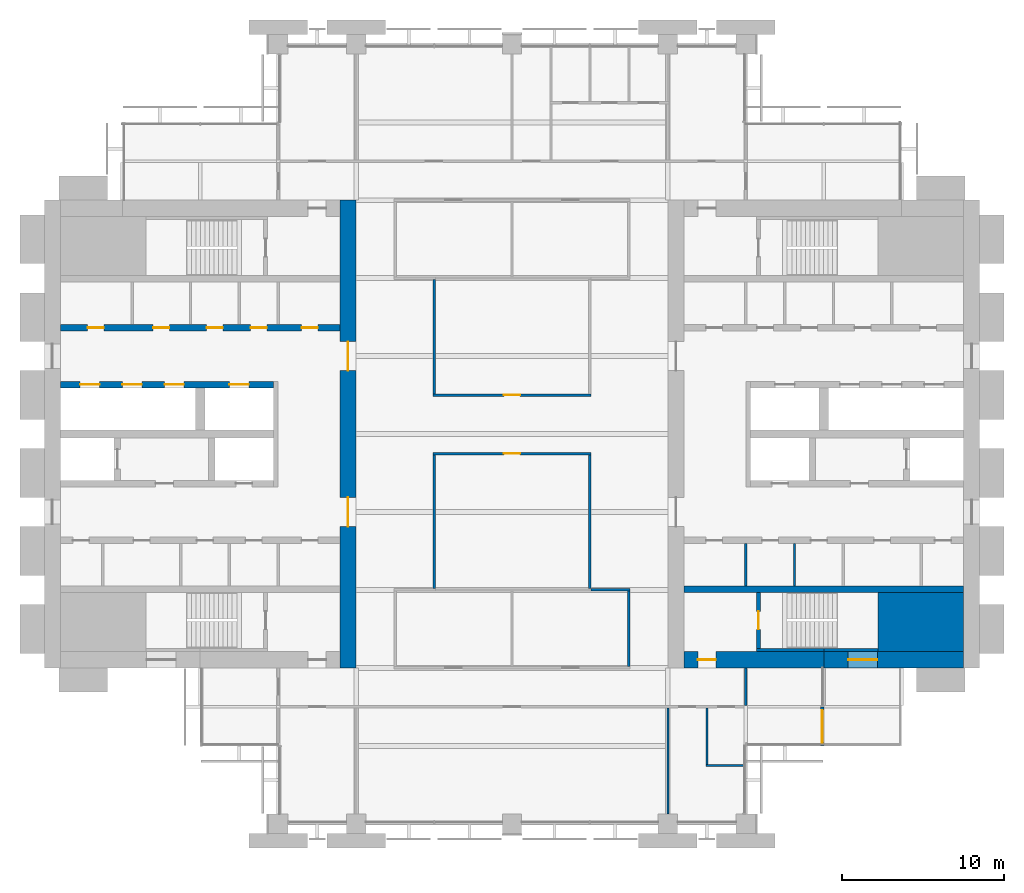
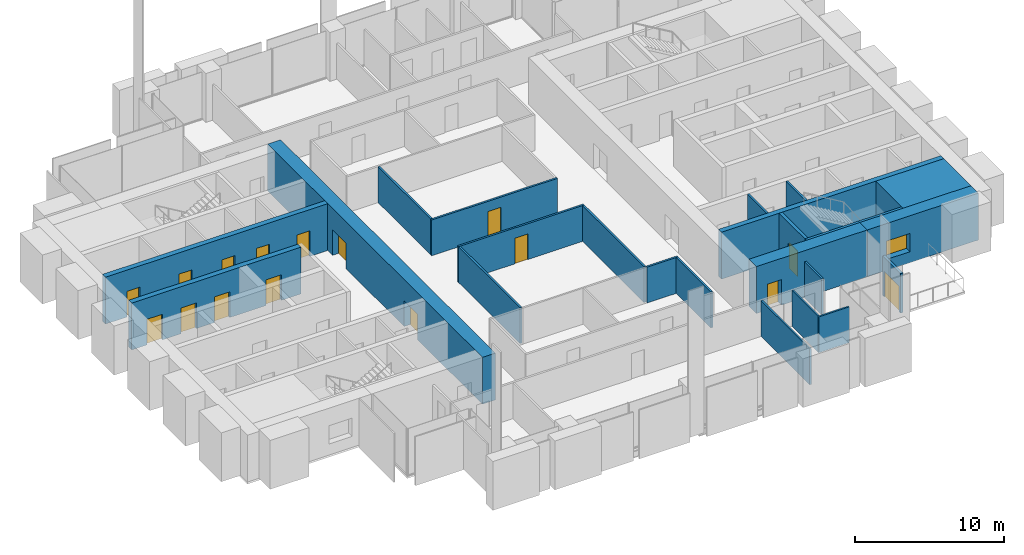
# One storey, part 10 of 14: 24 walls, 16 doors, 1 window, 17 openings.
"""IFC4 building model written with IfcOpenShell, lengths in metres."""

from ifc_helpers import new_model, si_unit, direction, frame, frame_2d, origin, place, context, subcontext, project, spatial, rectangle, extrude, material, layer, layer_set, type_object, element, fill, save


model = new_model("IFC4")

# Units and contexts
model_context = context("Model", 3, precision=1e-05, world=origin(), true_north=direction((0.0, 1.0)))
body_context = subcontext(model_context, "Body", "Model", "MODEL_VIEW")
ifc_project = project(units=[si_unit("LENGTHUNIT", "METRE"), si_unit("AREAUNIT", "SQUARE_METRE"), si_unit("VOLUMEUNIT", "CUBIC_METRE"), si_unit("PLANEANGLEUNIT", "RADIAN"), si_unit("MASSUNIT", "GRAM", prefix="KILO")], contexts=[model_context])

# Site, building, storey
site_placement = place(None, origin())
site = spatial("IfcSite", under=ifc_project, at=site_placement, CompositionType="ELEMENT")
building_placement = place(site_placement, origin())
building = spatial("IfcBuilding", under=site, at=building_placement, Name="Baori Bourse Tower", CompositionType="ELEMENT")
storey_placement = place(building_placement, frame((0.0, 0.0, 120.10009765625)))
storey = spatial("IfcBuildingStorey", under=building, at=storey_placement, Name="L25", CompositionType="ELEMENT", Elevation=120.10009765625)

# Walls
ifc_material_1 = material(Name="Concrete f'c 60 MPa", Category="concrete")
wall_type_1 = type_object("IfcWallType", Name="Core corner block f'c 60", PredefinedType="SHEAR", material=ifc_material_1)
wall_1_placement = place(storey_placement, frame((51.35009765625, 12.425048828125, 0.0), z_axis=(0.0, 0.0, 1.0), x_axis=(1.0, 0.0, 0.0)))
element("IfcWall", 1, at=wall_1_placement, inside=storey, type_object=wall_type_1, Name="Core wall E05", PredefinedType="SHEAR", context=body_context, shape_type="SweptSolid", body=[
    extrude(rectangle(XDim=5.25, YDim=3.64990234375, at=frame_2d((2.625, 0.0))), origin(), (0.0, 0.0, 1.0), 3.83984375),
])
ifc_material_2 = material(Name="Blockwork partition", Category="masonry")
ifc_layer_1 = layer(ifc_material_2, 0.14990234375)
ifc_layer_set_1 = layer_set([ifc_layer_1], Name="Core partition 150")
wall_type_2 = type_object("IfcWallType", Name="Core partition 150", PredefinedType="PARTITIONING", material=ifc_layer_set_1)
for number, where, z_axis, x_axis, name in (
    (2, (46.199951171875, 14.64990234375, 0.0), (0.0, 0.0, 1.0), (0.0, 1.0, 0.0), "Partition wall E12"),
    (3, (43.199951171875, 14.64990234375, 0.0), (0.0, 0.0, 1.0), (0.0, 1.0, 0.0), "Partition wall E13"),
):
    element("IfcWall", number, at=place(storey_placement, frame(where, z_axis=z_axis, x_axis=x_axis)), inside=storey, type_object=wall_type_2, Name=name, PredefinedType="PARTITIONING", context=body_context, shape_type="SweptSolid", body=[
        extrude(rectangle(XDim=2.60009765625, YDim=0.14990234375, at=frame_2d((1.300048828125, 0.0))), origin(), (0.0, 0.0, 1.0), 3.83984375),
    ])

# Wall, openings, doors
ifc_material_3 = material(Name="Concrete f'c 60 MPa", Category="concrete")
ifc_layer_2 = layer(ifc_material_3, 1.0)
ifc_layer_set_2 = layer_set([ifc_layer_2], Name="Core wall 1000 f'c 60")
wall_type_3 = type_object("IfcWallType", Name="Core wall 1000 f'c 60", PredefinedType="SHEAR", material=ifc_layer_set_2)
wall_2_placement = place(storey_placement, frame((18.699951171875, 38.39990234375, 0.0), z_axis=(0.0, 0.0, 1.0), x_axis=(0.0, -1.0, 0.0)))
wall_2 = element("IfcWall", 4, at=wall_2_placement, inside=storey, type_object=wall_type_3, Name="Core wall W04", PredefinedType="SHEAR", context=body_context, shape_type="SweptSolid", body=[
    extrude(rectangle(XDim=28.7998046875, YDim=1.0, at=frame_2d((14.39990234375, 0.0))), origin(), (0.0, 0.0, 1.0), 3.83984375),
])
opening_1_placement = place(wall_2_placement, frame((18.300048828125, 0.0, 0.0)))
opening_1 = element("IfcOpeningElement", 5, at=opening_1_placement, cuts=wall_2, Name="Opening L25-D107", PredefinedType="OPENING", context=body_context, shape_type="SweptSolid", body=[
    extrude(rectangle(XDim=1.800048828125, YDim=2.10009765625, at=frame_2d((0.89990234375, 1.050048828125))), frame((0.0, 0.510009765625, 0.0), z_axis=(0.0, -1.0, 0.0), x_axis=(1.0, 0.0, 0.0)), (0.0, 0.0, 1.0), 1.02001953125),
])
opening_2_placement = place(wall_2_placement, frame((8.699951171875, 0.0, 0.0)))
opening_2 = element("IfcOpeningElement", 6, at=opening_2_placement, cuts=wall_2, Name="Opening L25-D108", PredefinedType="OPENING", context=body_context, shape_type="SweptSolid", body=[
    extrude(rectangle(XDim=1.800048828125, YDim=2.10009765625, at=frame_2d((0.89990234375, 1.050048828125))), frame((0.0, 0.510009765625, 0.0), z_axis=(0.0, -1.0, 0.0), x_axis=(1.0, 0.0, 0.0)), (0.0, 0.0, 1.0), 1.02001953125),
])
ifc_material_4 = material(Name="Painted steel door", Category="steel")
door_type_1 = type_object("IfcDoorType", Name="Core lobby door 1800", OperationType="DOUBLE_DOOR_SINGLE_SWING", PredefinedType="DOOR", material=ifc_material_4)
door_1_placement = place(opening_1_placement, origin())
door_1 = element("IfcDoor", 7, at=door_1_placement, inside=storey, type_object=door_type_1, Name="Lobby door W L25", OperationType="DOUBLE_DOOR_SINGLE_SWING", OverallHeight=2.10009765625, OverallWidth=1.800048828125, PredefinedType="DOOR", context=body_context, shape_type="SweptSolid", body=[
    extrude(rectangle(XDim=1.800048828125, YDim=2.10009765625, at=frame_2d((0.89990234375, 1.050048828125))), frame((0.0, 0.02490234375, 0.0), z_axis=(0.0, -1.0, 0.0), x_axis=(1.0, 0.0, 0.0)), (0.0, 0.0, 1.0), 0.050048828125),
])
fill(opening_1, door_1)
door_2_placement = place(opening_2_placement, origin())
door_2 = element("IfcDoor", 8, at=door_2_placement, inside=storey, type_object=door_type_1, Name="Lobby door W L25", OperationType="DOUBLE_DOOR_SINGLE_SWING", OverallHeight=2.10009765625, OverallWidth=1.800048828125, PredefinedType="DOOR", context=body_context, shape_type="SweptSolid", body=[
    extrude(rectangle(XDim=1.800048828125, YDim=2.10009765625, at=frame_2d((0.89990234375, 1.050048828125))), frame((0.0, 0.02490234375, 0.0), z_axis=(0.0, -1.0, 0.0), x_axis=(1.0, 0.0, 0.0)), (0.0, 0.0, 1.0), 0.050048828125),
])
fill(opening_2, door_2)

# Wall, opening, window
wall_3_placement = place(storey_placement, frame((56.60009765625, 10.10009765625, 0.0), z_axis=(0.0, 0.0, 1.0), x_axis=(-1.0, 0.0, 0.0)))
wall_3 = element("IfcWall", 9, at=wall_3_placement, inside=storey, type_object=wall_type_3, Name="Core wall E02", PredefinedType="SHEAR", context=body_context, shape_type="SweptSolid", body=[
    extrude(rectangle(XDim=8.60009765625, YDim=1.0, at=frame_2d((4.300048828125, 0.0))), origin(), (0.0, 0.0, 1.0), 3.83984375),
])
opening_3_placement = place(wall_3_placement, frame((5.300048828125, 0.0, 0.89990234375)))
opening_3 = element("IfcOpeningElement", 10, at=opening_3_placement, cuts=wall_3, Name="Opening L25-KW203", PredefinedType="OPENING", context=body_context, shape_type="SweptSolid", body=[
    extrude(rectangle(XDim=1.800048828125, YDim=1.5, at=frame_2d((0.89990234375, 0.75))), frame((0.0, 0.510009765625, 0.0), z_axis=(0.0, -1.0, 0.0), x_axis=(1.0, 0.0, 0.0)), (0.0, 0.0, 1.0), 1.02001953125),
])
ifc_material_5 = material(Name="Pale anodised aluminium", Category="aluminium")
window_type = type_object("IfcWindowType", Name="Stair window 1800 x 1500", PartitioningType="SINGLE_PANEL", PredefinedType="WINDOW", material=ifc_material_5)
window_placement = place(opening_3_placement, origin())
window = element("IfcWindow", 11, at=window_placement, inside=storey, type_object=window_type, Name="Stair window E L25 3", OverallHeight=1.5, OverallWidth=1.800048828125, PartitioningType="SINGLE_PANEL", PredefinedType="WINDOW", context=body_context, shape_type="SweptSolid", body=[
    extrude(rectangle(XDim=1.800048828125, YDim=1.5, at=frame_2d((0.89990234375, 0.75))), frame((0.0, 0.030029296875, 0.0), z_axis=(0.0, -1.0, 0.0), x_axis=(1.0, 0.0, 0.0)), (0.0, 0.0, 1.0), 0.06005859375),
])
fill(opening_3, window)

# Wall, opening, door
wall_4_placement = place(storey_placement, frame((48.0, 10.10009765625, 0.0), z_axis=(0.0, 0.0, 1.0), x_axis=(-1.0, 0.0, 0.0)))
wall_4 = element("IfcWall", 12, at=wall_4_placement, inside=storey, type_object=wall_type_3, Name="Core wall E03", PredefinedType="SHEAR", context=body_context, shape_type="SweptSolid", body=[
    extrude(rectangle(XDim=8.60009765625, YDim=1.0, at=frame_2d((4.300048828125, 0.0))), origin(), (0.0, 0.0, 1.0), 3.83984375),
])
opening_4_placement = place(wall_4_placement, frame((6.64990234375, 0.0, 0.0)))
opening_4 = element("IfcOpeningElement", 13, at=opening_4_placement, cuts=wall_4, Name="Opening L25-D202", PredefinedType="OPENING", context=body_context, shape_type="SweptSolid", body=[
    extrude(rectangle(XDim=1.10009765625, YDim=2.10009765625, at=frame_2d((0.550048828125, 1.050048828125))), frame((0.0, 0.510009765625, 0.0), z_axis=(0.0, -1.0, 0.0), x_axis=(1.0, 0.0, 0.0)), (0.0, 0.0, 1.0), 1.02001953125),
])
ifc_material_6 = material(Name="Painted steel door", Category="steel")
door_type_2 = type_object("IfcDoorType", Name="Stair door 1100", OperationType="SINGLE_SWING_LEFT", PredefinedType="DOOR", material=ifc_material_6)
door_3_placement = place(opening_4_placement, origin())
door_3 = element("IfcDoor", 14, at=door_3_placement, inside=storey, type_object=door_type_2, Name="Stair vestibule door A E L25", OperationType="SINGLE_SWING_LEFT", OverallHeight=2.10009765625, OverallWidth=1.10009765625, PredefinedType="DOOR", context=body_context, shape_type="SweptSolid", body=[
    extrude(rectangle(XDim=1.10009765625, YDim=2.10009765625, at=frame_2d((0.550048828125, 1.050048828125))), frame((0.0, 0.02490234375, 0.0), z_axis=(0.0, -1.0, 0.0), x_axis=(1.0, 0.0, 0.0)), (0.0, 0.0, 1.0), 0.050048828125),
])
fill(opening_4, door_3)

# Wall
ifc_material_7 = material(Name="Gypsum board partition")
ifc_layer_3 = layer(ifc_material_7, 0.14990234375)
ifc_layer_set_3 = layer_set([ifc_layer_3], Name="Corridor partition 150")
wall_type_4 = type_object("IfcWallType", Name="Corridor partition 150", PredefinedType="PARTITIONING", material=ifc_layer_set_3)
wall_5_placement = place(storey_placement, frame((33.675048828125, 14.39990234375, 0.0), z_axis=(0.0, 0.0, 1.0), x_axis=(1.0, 0.0, 0.0)))
element("IfcWall", 15, at=wall_5_placement, inside=storey, type_object=wall_type_4, Name="Partition", PredefinedType="PARTITIONING", context=body_context, shape_type="SweptSolid", body=[
    extrude(rectangle(XDim=2.39990234375, YDim=0.14990234375, at=frame_2d((1.199951171875, 0.0))), origin(), (0.0, 0.0, 1.0), 2.935546875),
])

# Wall, opening, door
wall_6_placement = place(storey_placement, frame((23.925048828125, 22.800048828125, 0.0), z_axis=(0.0, 0.0, 1.0), x_axis=(1.0, 0.0, 0.0)))
wall_6 = element("IfcWall", 16, at=wall_6_placement, inside=storey, type_object=wall_type_4, Name="Partition", PredefinedType="PARTITIONING", context=body_context, shape_type="SweptSolid", body=[
    extrude(rectangle(XDim=9.75, YDim=0.14990234375, at=frame_2d((4.875, 0.0))), origin(), (0.0, 0.0, 1.0), 2.935546875),
])
opening_5_placement = place(wall_6_placement, frame((4.375, 0.0, 0.0)))
opening_5 = element("IfcOpeningElement", 17, at=opening_5_placement, cuts=wall_6, Name="Opening L25-D07", PredefinedType="OPENING", context=body_context, shape_type="SweptSolid", body=[
    extrude(rectangle(XDim=1.0, YDim=2.10009765625, at=frame_2d((0.5, 1.050048828125))), frame((0.0, 0.0849609375, 0.0), z_axis=(0.0, -1.0, 0.0), x_axis=(1.0, 0.0, 0.0)), (0.0, 0.0, 1.0), 0.169921875),
])
ifc_material_8 = material(Name="Timber door leaf", Category="wood")
door_type_3 = type_object("IfcDoorType", Name="Door 1000 x 2100", OperationType="SINGLE_SWING_LEFT", PredefinedType="DOOR", material=ifc_material_8)
door_4_placement = place(opening_5_placement, origin())
door_4 = element("IfcDoor", 18, at=door_4_placement, inside=storey, type_object=door_type_3, Name="Door", OperationType="SINGLE_SWING_RIGHT", OverallHeight=2.10009765625, OverallWidth=1.0, PredefinedType="DOOR", context=body_context, shape_type="SweptSolid", body=[
    extrude(rectangle(XDim=1.0, YDim=2.10009765625, at=frame_2d((0.5, 1.050048828125))), frame((0.0, 0.02490234375, 0.0), z_axis=(0.0, -1.0, 0.0), x_axis=(1.0, 0.0, 0.0)), (0.0, 0.0, 1.0), 0.050048828125),
])
fill(opening_5, door_4)

wall_7_placement = place(storey_placement, frame((23.925048828125, 26.39990234375, 0.0), z_axis=(0.0, 0.0, 1.0), x_axis=(1.0, 0.0, 0.0)))
wall_7 = element("IfcWall", 19, at=wall_7_placement, inside=storey, type_object=wall_type_4, Name="Partition", PredefinedType="PARTITIONING", context=body_context, shape_type="SweptSolid", body=[
    extrude(rectangle(XDim=9.75, YDim=0.14990234375, at=frame_2d((4.875, 0.0))), origin(), (0.0, 0.0, 1.0), 2.935546875),
])
opening_6_placement = place(wall_7_placement, frame((4.375, 0.0, 0.0)))
opening_6 = element("IfcOpeningElement", 20, at=opening_6_placement, cuts=wall_7, Name="Opening L25-D08", PredefinedType="OPENING", context=body_context, shape_type="SweptSolid", body=[
    extrude(rectangle(XDim=1.0, YDim=2.10009765625, at=frame_2d((0.5, 1.050048828125))), frame((0.0, 0.0849609375, 0.0), z_axis=(0.0, -1.0, 0.0), x_axis=(1.0, 0.0, 0.0)), (0.0, 0.0, 1.0), 0.169921875),
])
door_5_placement = place(opening_6_placement, origin())
door_5 = element("IfcDoor", 21, at=door_5_placement, inside=storey, type_object=door_type_3, Name="Door", OperationType="SINGLE_SWING_LEFT", OverallHeight=2.10009765625, OverallWidth=1.0, PredefinedType="DOOR", context=body_context, shape_type="SweptSolid", body=[
    extrude(rectangle(XDim=1.0, YDim=2.10009765625, at=frame_2d((0.5, 1.050048828125))), frame((0.0, 0.02490234375, 0.0), z_axis=(0.0, -1.0, 0.0), x_axis=(1.0, 0.0, 0.0)), (0.0, 0.0, 1.0), 0.050048828125),
])
fill(opening_6, door_5)

# Walls
wall_8_placement = place(storey_placement, frame((24.0, 14.47509765625, 0.0), z_axis=(0.0, 0.0, 1.0), x_axis=(0.0, 1.0, 0.0)))
element("IfcWall", 22, at=wall_8_placement, inside=storey, type_object=wall_type_4, Name="Partition", PredefinedType="PARTITIONING", context=body_context, shape_type="SweptSolid", body=[
    extrude(rectangle(XDim=8.25, YDim=0.14990234375, at=frame_2d((4.125, 0.0))), origin(), (0.0, 0.0, 1.0), 2.935546875),
])
wall_9_placement = place(storey_placement, frame((24.0, 26.47509765625, 0.0), z_axis=(0.0, 0.0, 1.0), x_axis=(0.0, 1.0, 0.0)))
element("IfcWall", 23, at=wall_9_placement, inside=storey, type_object=wall_type_4, Name="Partition", PredefinedType="PARTITIONING", context=body_context, shape_type="SweptSolid", body=[
    extrude(rectangle(XDim=7.0498046875, YDim=0.14990234375, at=frame_2d((3.52490234375, 0.0))), origin(), (0.0, 0.0, 1.0), 2.935546875),
])
wall_10_placement = place(storey_placement, frame((33.60009765625, 14.47509765625, 0.0), z_axis=(0.0, 0.0, 1.0), x_axis=(0.0, 1.0, 0.0)))
element("IfcWall", 24, at=wall_10_placement, inside=storey, type_object=wall_type_4, Name="Partition", PredefinedType="PARTITIONING", context=body_context, shape_type="SweptSolid", body=[
    extrude(rectangle(XDim=8.25, YDim=0.14990234375, at=frame_2d((4.125, 0.0))), origin(), (0.0, 0.0, 1.0), 2.935546875),
])
wall_11_placement = place(storey_placement, frame((36.0, 9.675048828125, 0.0), z_axis=(0.0, 0.0, 1.0), x_axis=(0.0, 1.0, 0.0)))
element("IfcWall", 25, at=wall_11_placement, inside=storey, type_object=wall_type_4, Name="Partition", PredefinedType="PARTITIONING", context=body_context, shape_type="SweptSolid", body=[
    extrude(rectangle(XDim=4.64990234375, YDim=0.14990234375, at=frame_2d((2.324951171875, 0.0))), origin(), (0.0, 0.0, 1.0), 2.935546875),
])
wall_12_placement = place(storey_placement, frame((43.199951171875, 7.27490234375, 0.0), z_axis=(0.0, 0.0, 1.0), x_axis=(0.0, 1.0, 0.0)))
element("IfcWall", 26, at=wall_12_placement, inside=storey, type_object=wall_type_4, Name="Partition", PredefinedType="PARTITIONING", context=body_context, shape_type="SweptSolid", body=[
    extrude(rectangle(XDim=2.3251953125, YDim=0.14990234375, at=frame_2d((1.16259765625, 0.0))), origin(), (0.0, 0.0, 1.0), 2.935546875),
])

# Wall, opening, door
ifc_material_9 = material(Name="Pale anodised aluminium", Category="aluminium")
ifc_layer_4 = layer(ifc_material_9, 0.199951171875)
ifc_layer_set_4 = layer_set([ifc_layer_4], Name="EW1 External wall bay")
wall_type_5 = type_object("IfcWallType", Name="EW1 External wall bay", PredefinedType="SOLIDWALL", material=ifc_layer_set_4)
wall_13_placement = place(storey_placement, frame((47.89990234375, 4.800048828125, 0.0), z_axis=(0.0, 0.0, 1.0), x_axis=(0.0, 1.0, 0.0)))
wall_13 = element("IfcWall", 27, at=wall_13_placement, inside=storey, type_object=wall_type_5, Name="External wall bay L25 1", PredefinedType="SOLIDWALL", context=body_context, shape_type="SweptSolid", body=[
    extrude(rectangle(XDim=2.39990234375, YDim=0.199951171875, at=frame_2d((1.199951171875, 0.0))), origin(), (0.0, 0.0, 1.0), 3.238037109375),
])
opening_7_placement = place(wall_13_placement, frame((0.199951171875, 0.0, 0.0)))
opening_7 = element("IfcOpeningElement", 28, at=opening_7_placement, cuts=wall_13, Name="Opening L25-D91", PredefinedType="OPENING", context=body_context, shape_type="SweptSolid", body=[
    extrude(rectangle(XDim=2.0, YDim=2.10009765625, at=frame_2d((1.0, 1.050048828125))), frame((0.0, 0.10986328125, 0.0), z_axis=(0.0, -1.0, 0.0), x_axis=(1.0, 0.0, 0.0)), (0.0, 0.0, 1.0), 0.219970703125),
])
ifc_material_10 = material(Name="Pale anodised aluminium", Category="aluminium")
door_type_4 = type_object("IfcDoorType", Name="TR1 Terrace door", OperationType="DOUBLE_DOOR_SINGLE_SWING", PredefinedType="DOOR", material=ifc_material_10)
door_6_placement = place(opening_7_placement, origin())
door_6 = element("IfcDoor", 29, at=door_6_placement, inside=storey, type_object=door_type_4, Name="Terrace door L25 1", OperationType="SINGLE_SWING_LEFT", OverallHeight=2.10009765625, OverallWidth=2.0, PredefinedType="DOOR", context=body_context, shape_type="SweptSolid", body=[
    extrude(rectangle(XDim=2.0, YDim=2.10009765625, at=frame_2d((1.0, 1.050048828125))), frame((0.0, 0.02490234375, 0.0), z_axis=(0.0, -1.0, 0.0), x_axis=(1.0, 0.0, 0.0)), (0.0, 0.0, 1.0), 0.050048828125),
])
fill(opening_7, door_6)

# Walls
ifc_material_11 = material(Name="Gypsum board partition")
ifc_layer_5 = layer(ifc_material_11, 0.125)
ifc_layer_set_5 = layer_set([ifc_layer_5], Name="Partition 125")
wall_type_6 = type_object("IfcWallType", Name="Partition 125", PredefinedType="PARTITIONING", material=ifc_layer_set_5)
wall_14_placement = place(storey_placement, frame((40.737548828125, 3.60009765625, 0.0), z_axis=(0.0, 0.0, 1.0), x_axis=(1.0, 0.0, 0.0)))
element("IfcWall", 30, at=wall_14_placement, inside=storey, type_object=wall_type_6, Name="Partition", PredefinedType="PARTITIONING", context=body_context, shape_type="SweptSolid", body=[
    extrude(rectangle(XDim=2.362548828125, YDim=0.125, at=frame_2d((1.18115234375, 0.0))), origin(), (0.0, 0.0, 1.0), 2.935546875),
])
wall_15_placement = place(storey_placement, frame((38.39990234375, 0.60009765625, 0.0), z_axis=(0.0, 0.0, 1.0), x_axis=(0.0, 1.0, 0.0)))
element("IfcWall", 31, at=wall_15_placement, inside=storey, type_object=wall_type_6, Name="Partition", PredefinedType="PARTITIONING", context=body_context, shape_type="SweptSolid", body=[
    extrude(rectangle(XDim=6.52490234375, YDim=0.125, at=frame_2d((3.262451171875, 0.0))), origin(), (0.0, 0.0, 1.0), 2.935546875),
])
wall_16_placement = place(storey_placement, frame((40.800048828125, 3.66259765625, 0.0), z_axis=(0.0, 0.0, 1.0), x_axis=(0.0, 1.0, 0.0)))
element("IfcWall", 32, at=wall_16_placement, inside=storey, type_object=wall_type_6, Name="Partition", PredefinedType="PARTITIONING", context=body_context, shape_type="SweptSolid", body=[
    extrude(rectangle(XDim=3.46240234375, YDim=0.125, at=frame_2d((1.731201171875, 0.0))), origin(), (0.0, 0.0, 1.0), 2.935546875),
])
ifc_material_12 = material(Name="Concrete f'c 60 MPa", Category="concrete")
ifc_layer_6 = layer(ifc_material_12, 0.199951171875)
ifc_layer_set_6 = layer_set([ifc_layer_6], Name="Shaft wall 200 f'c 60")
wall_type_7 = type_object("IfcWallType", Name="Shaft wall 200 f'c 60", PredefinedType="SHEAR", material=ifc_layer_set_6)
wall_17_placement = place(storey_placement, frame((48.0, 10.699951171875, 0.0), z_axis=(0.0, 0.0, 1.0), x_axis=(1.0, 0.0, 0.0)))
element("IfcWall", 33, at=wall_17_placement, inside=storey, type_object=wall_type_7, Name="Core wall E06", PredefinedType="SHEAR", context=body_context, shape_type="SweptSolid", body=[
    extrude(rectangle(XDim=3.35009765625, YDim=0.199951171875, at=frame_2d((1.675048828125, 0.0))), origin(), (0.0, 0.0, 1.0), 3.83984375),
])
wall_18_placement = place(storey_placement, frame((43.85009765625, 10.699951171875, 0.0), z_axis=(0.0, 0.0, 1.0), x_axis=(1.0, 0.0, 0.0)))
element("IfcWall", 34, at=wall_18_placement, inside=storey, type_object=wall_type_7, Name="Core wall E07", PredefinedType="SHEAR", context=body_context, shape_type="SweptSolid", body=[
    extrude(rectangle(XDim=4.14990234375, YDim=0.199951171875, at=frame_2d((2.074951171875, 0.0))), origin(), (0.0, 0.0, 1.0), 3.83984375),
])

# Wall, opening, door
ifc_material_13 = material(Name="Concrete f'c 60 MPa", Category="concrete")
ifc_layer_7 = layer(ifc_material_13, 0.25)
ifc_layer_set_7 = layer_set([ifc_layer_7], Name="Shaft wall 250 f'c 60")
wall_type_8 = type_object("IfcWallType", Name="Shaft wall 250 f'c 60", PredefinedType="SHEAR", material=ifc_layer_set_7)
wall_19_placement = place(storey_placement, frame((43.97509765625, 10.800048828125, 0.0), z_axis=(0.0, 0.0, 1.0), x_axis=(0.0, 1.0, 0.0)))
wall_19 = element("IfcWall", 35, at=wall_19_placement, inside=storey, type_object=wall_type_8, Name="Core wall E08", PredefinedType="SHEAR", context=body_context, shape_type="SweptSolid", body=[
    extrude(rectangle(XDim=3.449951171875, YDim=0.25, at=frame_2d((1.72509765625, 0.0))), origin(), (0.0, 0.0, 1.0), 3.83984375),
])
opening_8_placement = place(wall_19_placement, frame((1.175048828125, 0.0, 0.0)))
opening_8 = element("IfcOpeningElement", 36, at=opening_8_placement, cuts=wall_19, Name="Opening L25-D201", PredefinedType="OPENING", context=body_context, shape_type="SweptSolid", body=[
    extrude(rectangle(XDim=1.10009765625, YDim=2.10009765625, at=frame_2d((0.550048828125, 1.050048828125))), frame((0.0, 0.135009765625, 0.0), z_axis=(0.0, -1.0, 0.0), x_axis=(1.0, 0.0, 0.0)), (0.0, 0.0, 1.0), 0.27001953125),
])
door_7_placement = place(opening_8_placement, origin())
door_7 = element("IfcDoor", 37, at=door_7_placement, inside=storey, type_object=door_type_2, Name="Stair door A E L25", OperationType="SINGLE_SWING_LEFT", OverallHeight=2.10009765625, OverallWidth=1.10009765625, PredefinedType="DOOR", context=body_context, shape_type="SweptSolid", body=[
    extrude(rectangle(XDim=1.10009765625, YDim=2.10009765625, at=frame_2d((0.550048828125, 1.050048828125))), frame((0.0, 0.02490234375, 0.0), z_axis=(0.0, -1.0, 0.0), x_axis=(1.0, 0.0, 0.0)), (0.0, 0.0, 1.0), 0.050048828125),
])
fill(opening_8, door_7)

# Wall, openings, doors
ifc_material_14 = material(Name="Concrete f'c 60 MPa", Category="concrete")
ifc_layer_8 = layer(ifc_material_14, 0.39990234375)
ifc_layer_set_8 = layer_set([ifc_layer_8], Name="Shaft wall 400 f'c 60")
wall_type_9 = type_object("IfcWallType", Name="Shaft wall 400 f'c 60", PredefinedType="SHEAR", material=ifc_layer_set_8)
wall_20_placement = place(storey_placement, frame((1.0, 27.050048828125, 0.0), z_axis=(0.0, 0.0, 1.0), x_axis=(1.0, 0.0, 0.0)))
wall_20 = element("IfcWall", 38, at=wall_20_placement, inside=storey, type_object=wall_type_9, Name="Core wall W21", PredefinedType="SHEAR", context=body_context, shape_type="SweptSolid", body=[
    extrude(rectangle(XDim=13.10009765625, YDim=0.39990234375, at=frame_2d((6.550048828125, 0.0))), origin(), (0.0, 0.0, 1.0), 3.83984375),
])
opening_9_placement = place(wall_20_placement, frame((1.199951171875, 0.0, 0.0)))
opening_9 = element("IfcOpeningElement", 39, at=opening_9_placement, cuts=wall_20, Name="Opening L25-D119", PredefinedType="OPENING", context=body_context, shape_type="SweptSolid", body=[
    extrude(rectangle(XDim=1.199951171875, YDim=2.10009765625, at=frame_2d((0.60009765625, 1.050048828125))), frame((0.0, 0.2099609375, 0.0), z_axis=(0.0, -1.0, 0.0), x_axis=(1.0, 0.0, 0.0)), (0.0, 0.0, 1.0), 0.419921875),
])
opening_10_placement = place(wall_20_placement, frame((3.800048828125, 0.0, 0.0)))
opening_10 = element("IfcOpeningElement", 40, at=opening_10_placement, cuts=wall_20, Name="Opening L25-D120", PredefinedType="OPENING", context=body_context, shape_type="SweptSolid", body=[
    extrude(rectangle(XDim=1.199951171875, YDim=2.10009765625, at=frame_2d((0.60009765625, 1.050048828125))), frame((0.0, 0.2099609375, 0.0), z_axis=(0.0, -1.0, 0.0), x_axis=(1.0, 0.0, 0.0)), (0.0, 0.0, 1.0), 0.419921875),
])
opening_11_placement = place(wall_20_placement, frame((6.39990234375, 0.0, 0.0)))
opening_11 = element("IfcOpeningElement", 41, at=opening_11_placement, cuts=wall_20, Name="Opening L25-D121", PredefinedType="OPENING", context=body_context, shape_type="SweptSolid", body=[
    extrude(rectangle(XDim=1.199951171875, YDim=2.10009765625, at=frame_2d((0.60009765625, 1.050048828125))), frame((0.0, 0.2099609375, 0.0), z_axis=(0.0, -1.0, 0.0), x_axis=(1.0, 0.0, 0.0)), (0.0, 0.0, 1.0), 0.419921875),
])
opening_12_placement = place(wall_20_placement, frame((10.39990234375, 0.0, 0.0)))
opening_12 = element("IfcOpeningElement", 42, at=opening_12_placement, cuts=wall_20, Name="Opening L25-D122", PredefinedType="OPENING", context=body_context, shape_type="SweptSolid", body=[
    extrude(rectangle(XDim=1.199951171875, YDim=2.10009765625, at=frame_2d((0.60009765625, 1.050048828125))), frame((0.0, 0.2099609375, 0.0), z_axis=(0.0, -1.0, 0.0), x_axis=(1.0, 0.0, 0.0)), (0.0, 0.0, 1.0), 0.419921875),
])
ifc_material_15 = material(Name="Stainless steel door", Category="steel")
door_type_5 = type_object("IfcDoorType", Name="Lift landing door", OperationType="DOUBLE_DOOR_SLIDING", PredefinedType="DOOR", material=ifc_material_15)
door_8_placement = place(opening_9_placement, origin())
door_8 = element("IfcDoor", 43, at=door_8_placement, inside=storey, type_object=door_type_5, Name="Lift landing door SH1 W L25", OperationType="DOUBLE_DOOR_SLIDING", OverallHeight=2.10009765625, OverallWidth=1.199951171875, PredefinedType="DOOR", context=body_context, shape_type="SweptSolid", body=[
    extrude(rectangle(XDim=1.199951171875, YDim=2.10009765625, at=frame_2d((0.60009765625, 1.050048828125))), frame((0.0, 0.02490234375, 0.0), z_axis=(0.0, -1.0, 0.0), x_axis=(1.0, 0.0, 0.0)), (0.0, 0.0, 1.0), 0.050048828125),
])
fill(opening_9, door_8)
door_9_placement = place(opening_10_placement, origin())
door_9 = element("IfcDoor", 44, at=door_9_placement, inside=storey, type_object=door_type_5, Name="Lift landing door SH2 W L25", OperationType="DOUBLE_DOOR_SLIDING", OverallHeight=2.10009765625, OverallWidth=1.199951171875, PredefinedType="DOOR", context=body_context, shape_type="SweptSolid", body=[
    extrude(rectangle(XDim=1.199951171875, YDim=2.10009765625, at=frame_2d((0.60009765625, 1.050048828125))), frame((0.0, 0.02490234375, 0.0), z_axis=(0.0, -1.0, 0.0), x_axis=(1.0, 0.0, 0.0)), (0.0, 0.0, 1.0), 0.050048828125),
])
fill(opening_10, door_9)
door_10_placement = place(opening_11_placement, origin())
door_10 = element("IfcDoor", 45, at=door_10_placement, inside=storey, type_object=door_type_5, Name="Lift landing door SH3 W L25", OperationType="DOUBLE_DOOR_SLIDING", OverallHeight=2.10009765625, OverallWidth=1.199951171875, PredefinedType="DOOR", context=body_context, shape_type="SweptSolid", body=[
    extrude(rectangle(XDim=1.199951171875, YDim=2.10009765625, at=frame_2d((0.60009765625, 1.050048828125))), frame((0.0, 0.02490234375, 0.0), z_axis=(0.0, -1.0, 0.0), x_axis=(1.0, 0.0, 0.0)), (0.0, 0.0, 1.0), 0.050048828125),
])
fill(opening_11, door_10)
door_11_placement = place(opening_12_placement, origin())
door_11 = element("IfcDoor", 46, at=door_11_placement, inside=storey, type_object=door_type_5, Name="Lift landing door SV1 W L25", OperationType="DOUBLE_DOOR_SLIDING", OverallHeight=2.10009765625, OverallWidth=1.199951171875, PredefinedType="DOOR", context=body_context, shape_type="SweptSolid", body=[
    extrude(rectangle(XDim=1.199951171875, YDim=2.10009765625, at=frame_2d((0.60009765625, 1.050048828125))), frame((0.0, 0.02490234375, 0.0), z_axis=(0.0, -1.0, 0.0), x_axis=(1.0, 0.0, 0.0)), (0.0, 0.0, 1.0), 0.050048828125),
])
fill(opening_12, door_11)

wall_21_placement = place(storey_placement, frame((1.0, 30.550048828125, 0.0), z_axis=(0.0, 0.0, 1.0), x_axis=(1.0, 0.0, 0.0)))
wall_21 = element("IfcWall", 47, at=wall_21_placement, inside=storey, type_object=wall_type_9, Name="Core wall W22", PredefinedType="SHEAR", context=body_context, shape_type="SweptSolid", body=[
    extrude(rectangle(XDim=17.199951171875, YDim=0.39990234375, at=frame_2d((8.60009765625, 0.0))), origin(), (0.0, 0.0, 1.0), 3.83984375),
])
opening_13_placement = place(wall_21_placement, frame((1.66259765625, 0.0, 0.0)))
opening_13 = element("IfcOpeningElement", 48, at=opening_13_placement, cuts=wall_21, Name="Opening L25-D109", PredefinedType="OPENING", context=body_context, shape_type="SweptSolid", body=[
    extrude(rectangle(XDim=1.0, YDim=2.10009765625, at=frame_2d((0.5, 1.050048828125))), frame((0.0, 0.2099609375, 0.0), z_axis=(0.0, -1.0, 0.0), x_axis=(1.0, 0.0, 0.0)), (0.0, 0.0, 1.0), 0.419921875),
])
opening_14_placement = place(wall_21_placement, frame((5.699951171875, 0.0, 0.0)))
opening_14 = element("IfcOpeningElement", 49, at=opening_14_placement, cuts=wall_21, Name="Opening L25-D110", PredefinedType="OPENING", context=body_context, shape_type="SweptSolid", body=[
    extrude(rectangle(XDim=1.0, YDim=2.10009765625, at=frame_2d((0.5, 1.050048828125))), frame((0.0, 0.2099609375, 0.0), z_axis=(0.0, -1.0, 0.0), x_axis=(1.0, 0.0, 0.0)), (0.0, 0.0, 1.0), 0.419921875),
])
opening_15_placement = place(wall_21_placement, frame((9.0, 0.0, 0.0)))
opening_15 = element("IfcOpeningElement", 50, at=opening_15_placement, cuts=wall_21, Name="Opening L25-D111", PredefinedType="OPENING", context=body_context, shape_type="SweptSolid", body=[
    extrude(rectangle(XDim=1.0, YDim=2.10009765625, at=frame_2d((0.5, 1.050048828125))), frame((0.0, 0.2099609375, 0.0), z_axis=(0.0, -1.0, 0.0), x_axis=(1.0, 0.0, 0.0)), (0.0, 0.0, 1.0), 0.419921875),
])
opening_16_placement = place(wall_21_placement, frame((11.699951171875, 0.0, 0.0)))
opening_16 = element("IfcOpeningElement", 51, at=opening_16_placement, cuts=wall_21, Name="Opening L25-D112", PredefinedType="OPENING", context=body_context, shape_type="SweptSolid", body=[
    extrude(rectangle(XDim=1.0, YDim=2.10009765625, at=frame_2d((0.5, 1.050048828125))), frame((0.0, 0.2099609375, 0.0), z_axis=(0.0, -1.0, 0.0), x_axis=(1.0, 0.0, 0.0)), (0.0, 0.0, 1.0), 0.419921875),
])
opening_17_placement = place(wall_21_placement, frame((14.83740234375, 0.0, 0.0)))
opening_17 = element("IfcOpeningElement", 52, at=opening_17_placement, cuts=wall_21, Name="Opening L25-D113", PredefinedType="OPENING", context=body_context, shape_type="SweptSolid", body=[
    extrude(rectangle(XDim=1.0, YDim=2.10009765625, at=frame_2d((0.5, 1.050048828125))), frame((0.0, 0.2099609375, 0.0), z_axis=(0.0, -1.0, 0.0), x_axis=(1.0, 0.0, 0.0)), (0.0, 0.0, 1.0), 0.419921875),
])
ifc_material_16 = material(Name="Painted steel door", Category="steel")
door_type_6 = type_object("IfcDoorType", Name="Core door 1000", OperationType="SINGLE_SWING_LEFT", PredefinedType="DOOR", material=ifc_material_16)
door_12_placement = place(opening_13_placement, origin())
door_12 = element("IfcDoor", 53, at=door_12_placement, inside=storey, type_object=door_type_6, Name="Men'S Wc door W L25", OperationType="SINGLE_SWING_LEFT", OverallHeight=2.10009765625, OverallWidth=1.0, PredefinedType="DOOR", context=body_context, shape_type="SweptSolid", body=[
    extrude(rectangle(XDim=1.0, YDim=2.10009765625, at=frame_2d((0.5, 1.050048828125))), frame((0.0, 0.02490234375, 0.0), z_axis=(0.0, -1.0, 0.0), x_axis=(1.0, 0.0, 0.0)), (0.0, 0.0, 1.0), 0.050048828125),
])
fill(opening_13, door_12)
door_13_placement = place(opening_14_placement, origin())
door_13 = element("IfcDoor", 54, at=door_13_placement, inside=storey, type_object=door_type_6, Name="Women'S Wc door W L25", OperationType="SINGLE_SWING_LEFT", OverallHeight=2.10009765625, OverallWidth=1.0, PredefinedType="DOOR", context=body_context, shape_type="SweptSolid", body=[
    extrude(rectangle(XDim=1.0, YDim=2.10009765625, at=frame_2d((0.5, 1.050048828125))), frame((0.0, 0.02490234375, 0.0), z_axis=(0.0, -1.0, 0.0), x_axis=(1.0, 0.0, 0.0)), (0.0, 0.0, 1.0), 0.050048828125),
])
fill(opening_14, door_13)
door_14_placement = place(opening_17_placement, origin())
door_14 = element("IfcDoor", 55, at=door_14_placement, inside=storey, type_object=door_type_6, Name="Accessible Wc door W L25", OperationType="SINGLE_SWING_LEFT", OverallHeight=2.10009765625, OverallWidth=1.0, PredefinedType="DOOR", context=body_context, shape_type="SweptSolid", body=[
    extrude(rectangle(XDim=1.0, YDim=2.10009765625, at=frame_2d((0.5, 1.050048828125))), frame((0.0, 0.02490234375, 0.0), z_axis=(0.0, -1.0, 0.0), x_axis=(1.0, 0.0, 0.0)), (0.0, 0.0, 1.0), 0.050048828125),
])
fill(opening_17, door_14)
ifc_material_17 = material(Name="Painted steel door", Category="steel")
door_type_7 = type_object("IfcDoorType", Name="Plant room door 1000", OperationType="SINGLE_SWING_LEFT", PredefinedType="DOOR", material=ifc_material_17)
door_15_placement = place(opening_15_placement, origin())
door_15 = element("IfcDoor", 56, at=door_15_placement, inside=storey, type_object=door_type_7, Name="Communications Room door W L25", OperationType="SINGLE_SWING_LEFT", OverallHeight=2.10009765625, OverallWidth=1.0, PredefinedType="DOOR", context=body_context, shape_type="SweptSolid", body=[
    extrude(rectangle(XDim=1.0, YDim=2.10009765625, at=frame_2d((0.5, 1.050048828125))), frame((0.0, 0.02490234375, 0.0), z_axis=(0.0, -1.0, 0.0), x_axis=(1.0, 0.0, 0.0)), (0.0, 0.0, 1.0), 0.050048828125),
])
fill(opening_15, door_15)
door_16_placement = place(opening_16_placement, origin())
door_16 = element("IfcDoor", 57, at=door_16_placement, inside=storey, type_object=door_type_7, Name="Plumbing Equipment Room door W L25", OperationType="SINGLE_SWING_LEFT", OverallHeight=2.10009765625, OverallWidth=1.0, PredefinedType="DOOR", context=body_context, shape_type="SweptSolid", body=[
    extrude(rectangle(XDim=1.0, YDim=2.10009765625, at=frame_2d((0.5, 1.050048828125))), frame((0.0, 0.02490234375, 0.0), z_axis=(0.0, -1.0, 0.0), x_axis=(1.0, 0.0, 0.0)), (0.0, 0.0, 1.0), 0.050048828125),
])
fill(opening_16, door_16)

# Wall
wall_22_placement = place(storey_placement, frame((39.39990234375, 14.449951171875, 0.0), z_axis=(0.0, 0.0, 1.0), x_axis=(1.0, 0.0, 0.0)))
element("IfcWall", 58, at=wall_22_placement, inside=storey, type_object=wall_type_9, Name="Core wall E09", PredefinedType="SHEAR", context=body_context, shape_type="SweptSolid", body=[
    extrude(rectangle(XDim=17.2001953125, YDim=0.39990234375, at=frame_2d((8.60009765625, 0.0))), origin(), (0.0, 0.0, 1.0), 3.83984375),
])

save(model, "model.ifc")
